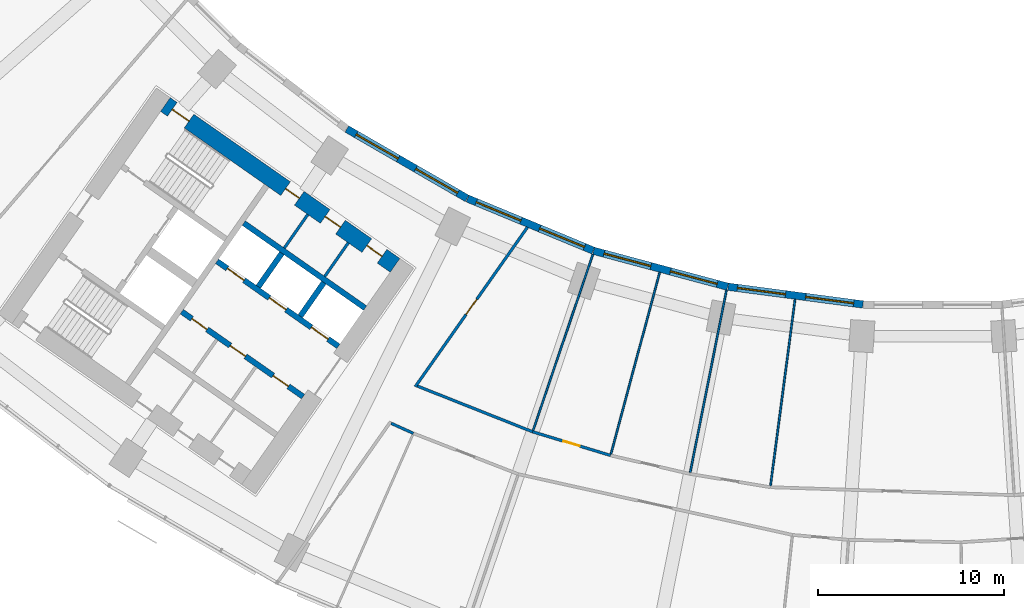
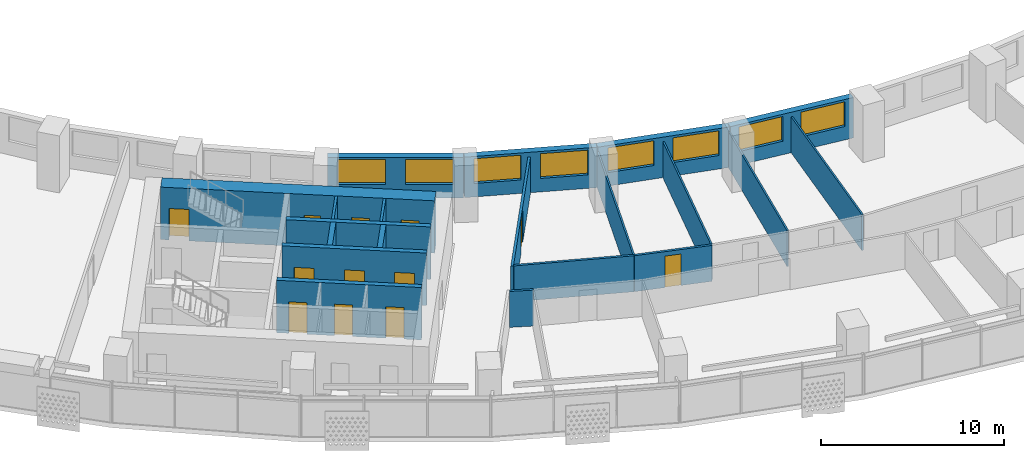
# One storey, part 4 of 30: 20 walls, 12 doors, 8 windows, 20 openings.
"""IFC4 building model written with IfcOpenShell, lengths in metres."""

from ifc_helpers import new_model, si_unit, direction, frame, frame_2d, origin, place, context, subcontext, project, spatial, rectangle, extrude, material, layer, layer_set, type_object, element, fill, save


model = new_model("IFC4")

# Units and contexts
model_context = context("Model", 3, precision=1e-05, world=origin(), true_north=direction((0.0, 1.0)))
body_context = subcontext(model_context, "Body", "Model", "MODEL_VIEW")
ifc_project = project(units=[si_unit("LENGTHUNIT", "METRE"), si_unit("AREAUNIT", "SQUARE_METRE"), si_unit("VOLUMEUNIT", "CUBIC_METRE"), si_unit("PLANEANGLEUNIT", "RADIAN"), si_unit("MASSUNIT", "GRAM", prefix="KILO")], contexts=[model_context])

# Site, building, storey
site_placement = place(None, origin())
site = spatial("IfcSite", under=ifc_project, at=site_placement, CompositionType="ELEMENT")
building_placement = place(site_placement, origin())
building = spatial("IfcBuilding", under=site, at=building_placement, Name="Qamariyya Broadcast Tower", CompositionType="ELEMENT")
storey_placement = place(building_placement, frame((0.0, 0.0, 67.10009765625)))
storey = spatial("IfcBuildingStorey", under=building, at=storey_placement, Name="L13", CompositionType="ELEMENT", Elevation=67.10009765625)

# Wall, openings, doors
ifc_material_1 = material(Name="Concrete C70/85", Category="concrete")
ifc_layer_1 = layer(ifc_material_1, 0.89990234375)
ifc_layer_set_1 = layer_set([ifc_layer_1], Name="Core wall 900 mm Concrete C70/85")
wall_type_1 = type_object("IfcWallType", Name="Core wall 900 mm Concrete C70/85", PredefinedType="SHEAR", material=ifc_layer_set_1)
wall_1_placement = place(storey_placement, frame((-28.8544921875, -54.32421875, 0.0), z_axis=(0.0, 0.0, 1.0), x_axis=(-0.819145767589, 0.573585400304, 0.0)))
wall_1 = element("IfcWall", 1, at=wall_1_placement, inside=storey, type_object=wall_type_1, Name="k-W-L13-WI", PredefinedType="SHEAR", context=body_context, shape_type="SweptSolid", body=[
    extrude(rectangle(XDim=15.04541015625, YDim=0.89990234375, at=frame_2d((7.522705078125, 0.0))), origin(), (0.0, 0.0, 1.0), 3.5),
])
opening_1_placement = place(wall_1_placement, frame((0.85009765625, 0.0, 0.0)))
opening_1 = element("IfcOpeningElement", 2, at=opening_1_placement, cuts=wall_1, Name="Opening KD6-W3", PredefinedType="OPENING", context=body_context, shape_type="SweptSolid", body=[
    extrude(rectangle(XDim=1.0, YDim=2.10009765625, at=frame_2d((0.5, 1.050048828125))), frame((0.0, 0.4599609375, 0.0), z_axis=(0.0, -1.0, 0.0), x_axis=(1.0, 0.0, 0.0)), (0.0, 0.0, 1.0), 0.919921875),
])
opening_2_placement = place(wall_1_placement, frame((3.574951171875, 0.0, 0.0)))
opening_2 = element("IfcOpeningElement", 3, at=opening_2_placement, cuts=wall_1, Name="Opening KD7-W1", PredefinedType="OPENING", context=body_context, shape_type="SweptSolid", body=[
    extrude(rectangle(XDim=1.0, YDim=2.10009765625, at=frame_2d((0.5, 1.050048828125))), frame((0.0, 0.4599609375, 0.0), z_axis=(0.0, -1.0, 0.0), x_axis=(1.0, 0.0, 0.0)), (0.0, 0.0, 1.0), 0.919921875),
])
opening_3_placement = place(wall_1_placement, frame((6.27490234375, 0.0, 0.0)))
opening_3 = element("IfcOpeningElement", 4, at=opening_3_placement, cuts=wall_1, Name="Opening KD5-W1", PredefinedType="OPENING", context=body_context, shape_type="SweptSolid", body=[
    extrude(rectangle(XDim=0.89990234375, YDim=2.10009765625, at=frame_2d((0.449951171875, 1.050048828125))), frame((0.0, 0.4599609375, 0.0), z_axis=(0.0, -1.0, 0.0), x_axis=(1.0, 0.0, 0.0)), (0.0, 0.0, 1.0), 0.919921875),
])
opening_4_placement = place(wall_1_placement, frame((13.495361328125, 0.0, 0.0)))
opening_4 = element("IfcOpeningElement", 5, at=opening_4_placement, cuts=wall_1, Name="Opening KD1-W1", PredefinedType="OPENING", context=body_context, shape_type="SweptSolid", body=[
    extrude(rectangle(XDim=1.10009765625, YDim=2.10009765625, at=frame_2d((0.550048828125, 1.050048828125))), frame((0.0, 0.4599609375, 0.0), z_axis=(0.0, -1.0, 0.0), x_axis=(1.0, 0.0, 0.0)), (0.0, 0.0, 1.0), 0.919921875),
])
ifc_material_2 = material(Name="Steel fire-resisting door leaf", Category="steel")
door_type_1 = type_object("IfcDoorType", Name="Accessible toilet door KD7", OperationType="SINGLE_SWING_LEFT", PredefinedType="DOOR", material=ifc_material_2)
door_1_placement = place(opening_2_placement, origin())
door_1 = element("IfcDoor", 6, at=door_1_placement, inside=storey, type_object=door_type_1, Name="k-W-L13-WI-D9", OperationType="SINGLE_SWING_RIGHT", OverallHeight=2.10009765625, OverallWidth=1.0, PredefinedType="DOOR", context=body_context, shape_type="SweptSolid", body=[
    extrude(rectangle(XDim=1.0, YDim=2.10009765625, at=frame_2d((0.5, 1.050048828125))), frame((0.0, 0.02490234375, 0.0), z_axis=(0.0, -1.0, 0.0), x_axis=(1.0, 0.0, 0.0)), (0.0, 0.0, 1.0), 0.050048828125),
])
fill(opening_2, door_1)
door_type_2 = type_object("IfcDoorType", Name="Core room door KD6", OperationType="SINGLE_SWING_LEFT", PredefinedType="DOOR", material=ifc_material_2)
door_2_placement = place(opening_1_placement, origin())
door_2 = element("IfcDoor", 7, at=door_2_placement, inside=storey, type_object=door_type_2, Name="k-W-L13-WI-D8", OperationType="SINGLE_SWING_LEFT", OverallHeight=2.10009765625, OverallWidth=1.0, PredefinedType="DOOR", context=body_context, shape_type="SweptSolid", body=[
    extrude(rectangle(XDim=1.0, YDim=2.10009765625, at=frame_2d((0.5, 1.050048828125))), frame((0.0, 0.02490234375, 0.0), z_axis=(0.0, -1.0, 0.0), x_axis=(1.0, 0.0, 0.0)), (0.0, 0.0, 1.0), 0.050048828125),
])
fill(opening_1, door_2)
door_type_3 = type_object("IfcDoorType", Name="Stair door KD1", OperationType="SINGLE_SWING_LEFT", PredefinedType="DOOR", material=ifc_material_2)
door_3_placement = place(opening_4_placement, origin())
door_3 = element("IfcDoor", 8, at=door_3_placement, inside=storey, type_object=door_type_3, Name="k-W-L13-WI-D17", OperationType="SINGLE_SWING_RIGHT", OverallHeight=2.10009765625, OverallWidth=1.10009765625, PredefinedType="DOOR", context=body_context, shape_type="SweptSolid", body=[
    extrude(rectangle(XDim=1.10009765625, YDim=2.10009765625, at=frame_2d((0.550048828125, 1.050048828125))), frame((0.0, 0.02490234375, 0.0), z_axis=(0.0, -1.0, 0.0), x_axis=(1.0, 0.0, 0.0)), (0.0, 0.0, 1.0), 0.050048828125),
])
fill(opening_4, door_3)
door_type_4 = type_object("IfcDoorType", Name="Toilet door KD5", OperationType="SINGLE_SWING_LEFT", PredefinedType="DOOR", material=ifc_material_2)
door_4_placement = place(opening_3_placement, origin())
door_4 = element("IfcDoor", 9, at=door_4_placement, inside=storey, type_object=door_type_4, Name="k-W-L13-WI-D10", OperationType="SINGLE_SWING_LEFT", OverallHeight=2.10009765625, OverallWidth=0.89990234375, PredefinedType="DOOR", context=body_context, shape_type="SweptSolid", body=[
    extrude(rectangle(XDim=0.89990234375, YDim=2.10009765625, at=frame_2d((0.449951171875, 1.050048828125))), frame((0.0, 0.02490234375, 0.0), z_axis=(0.0, -1.0, 0.0), x_axis=(1.0, 0.0, 0.0)), (0.0, 0.0, 1.0), 0.050048828125),
])
fill(opening_3, door_4)

# Walls
ifc_material_3 = material(Name="Gypsum board partition")
ifc_layer_2 = layer(ifc_material_3, 0.14990234375)
ifc_layer_set_2 = layer_set([ifc_layer_2], Name="Corridor partition 150 EI 60")
wall_type_2 = type_object("IfcWallType", Name="Corridor partition 150 EI 60", PredefinedType="PARTITIONING", material=ifc_layer_set_2)
wall_2_placement = place(storey_placement, frame((-29.062744140625, -62.800537109375, 0.0), z_axis=(0.0, 0.0, 1.0), x_axis=(0.911228141646, -0.411902019748, 0.0)))
element("IfcWall", 10, at=wall_2_placement, inside=storey, type_object=wall_type_2, Name="Partition L13-004", PredefinedType="PARTITIONING", context=body_context, shape_type="SweptSolid", body=[
    extrude(rectangle(XDim=1.306884765625, YDim=0.14990234375, at=frame_2d((0.6533203125, 0.0))), origin(), (0.0, 0.0, 1.0), 2.39990234375),
])
wall_3_placement = place(storey_placement, frame((-27.6572265625, -60.801513671875, 0.0), z_axis=(0.0, 0.0, 1.0), x_axis=(0.929543215203, -0.368713182663, 0.0)))
element("IfcWall", 11, at=wall_3_placement, inside=storey, type_object=wall_type_2, Name="Partition L13-006", PredefinedType="PARTITIONING", context=body_context, shape_type="SweptSolid", body=[
    extrude(rectangle(XDim=6.65380859375, YDim=0.14990234375, at=frame_2d((3.326904296875, 0.0))), origin(), (0.0, 0.0, 1.0), 2.39990234375),
])

# Wall, opening, door
wall_4_placement = place(storey_placement, frame((-21.748291015625, -52.2763671875, 0.0), z_axis=(0.0, 0.0, 1.0), x_axis=(-0.575419434668, -0.817858468322, 0.0)))
wall_4 = element("IfcWall", 12, at=wall_4_placement, inside=storey, type_object=wall_type_2, Name="Partition L13-009", PredefinedType="PARTITIONING", context=body_context, shape_type="SweptSolid", body=[
    extrude(rectangle(XDim=10.46484375, YDim=0.14990234375, at=frame_2d((5.232421875, 0.0))), origin(), (0.0, 0.0, 1.0), 2.39990234375),
])
opening_5_placement = place(wall_4_placement, frame((4.732421875, 0.0, 0.0)))
opening_5 = element("IfcOpeningElement", 13, at=opening_5_placement, cuts=wall_4, Name="Opening L13-D08", PredefinedType="OPENING", context=body_context, shape_type="SweptSolid", body=[
    extrude(rectangle(XDim=1.0, YDim=2.10009765625, at=frame_2d((0.5, 1.050048828125))), frame((0.0, 0.0849609375, 0.0), z_axis=(0.0, -1.0, 0.0), x_axis=(1.0, 0.0, 0.0)), (0.0, 0.0, 1.0), 0.169921875),
])
ifc_material_4 = material(Name="Timber fire door leaf", Category="wood")
door_type_5 = type_object("IfcDoorType", Name="Fire door 1000 x 2100 FD60", OperationType="NOTDEFINED", PredefinedType="DOOR", material=ifc_material_4)
door_5_placement = place(opening_5_placement, origin())
door_5 = element("IfcDoor", 14, at=door_5_placement, inside=storey, type_object=door_type_5, Name="Door L13-D08", OperationType="SINGLE_SWING_RIGHT", OverallHeight=2.10009765625, OverallWidth=1.0, PredefinedType="DOOR", context=body_context, shape_type="SweptSolid", body=[
    extrude(rectangle(XDim=1.0, YDim=2.10009765625, at=frame_2d((0.5, 1.050048828125))), frame((0.0, 0.02490234375, 0.0), z_axis=(0.0, -1.0, 0.0), x_axis=(1.0, 0.0, 0.0)), (0.0, 0.0, 1.0), 0.050048828125),
])
fill(opening_5, door_5)

wall_5_placement = place(storey_placement, frame((-21.47216796875, -63.2548828125, 0.0), z_axis=(0.0, 0.0, 1.0), x_axis=(0.956933231095, -0.290308097072, 0.0)))
wall_5 = element("IfcWall", 15, at=wall_5_placement, inside=storey, type_object=wall_type_2, Name="Partition L13-010", PredefinedType="PARTITIONING", context=body_context, shape_type="SweptSolid", body=[
    extrude(rectangle(XDim=4.371337890625, YDim=0.14990234375, at=frame_2d((2.185546875, 0.0))), origin(), (0.0, 0.0, 1.0), 2.39990234375),
])
opening_6_placement = place(wall_5_placement, frame((1.735595703125, 0.0, 0.0)))
opening_6 = element("IfcOpeningElement", 16, at=opening_6_placement, cuts=wall_5, Name="Opening L13-D09", PredefinedType="OPENING", context=body_context, shape_type="SweptSolid", body=[
    extrude(rectangle(XDim=0.89990234375, YDim=2.10009765625, at=frame_2d((0.449951171875, 1.050048828125))), frame((0.0, 0.0849609375, 0.0), z_axis=(0.0, -1.0, 0.0), x_axis=(1.0, 0.0, 0.0)), (0.0, 0.0, 1.0), 0.169921875),
])
door_type_6 = type_object("IfcDoorType", Name="Fire door 900 x 2100 FD60", OperationType="NOTDEFINED", PredefinedType="DOOR", material=ifc_material_4)
door_6_placement = place(opening_6_placement, origin())
door_6 = element("IfcDoor", 17, at=door_6_placement, inside=storey, type_object=door_type_6, Name="Door L13-D09", OperationType="SINGLE_SWING_RIGHT", OverallHeight=2.10009765625, OverallWidth=0.89990234375, PredefinedType="DOOR", context=body_context, shape_type="SweptSolid", body=[
    extrude(rectangle(XDim=0.89990234375, YDim=2.10009765625, at=frame_2d((0.449951171875, 1.050048828125))), frame((0.0, 0.02490234375, 0.0), z_axis=(0.0, -1.0, 0.0), x_axis=(1.0, 0.0, 0.0)), (0.0, 0.0, 1.0), 0.050048828125),
])
fill(opening_6, door_6)

# Walls
ifc_material_5 = material(Name="Gypsum board partition on steel studs", Category="steel")
ifc_layer_3 = layer(ifc_material_5, 0.14990234375)
ifc_layer_set_3 = layer_set([ifc_layer_3], Name="Gypsum board partition 150 mm")
wall_type_3 = type_object("IfcWallType", Name="Gypsum board partition 150 mm", PredefinedType="PARTITIONING", material=ifc_layer_set_3)
for number, where, z_axis, x_axis, name in (
    (18, (-32.627197265625, -54.91748046875, 0.0), (0.0, 0.0, 1.0), (0.573507030513, 0.819200638399, 0.0), "k-W-L13-NP275"),
    (19, (-34.798095703125, -53.3974609375, 0.0), (0.0, 0.0, 1.0), (0.573633636671, 0.819111989218, 0.0), "k-W-L13-NP540"),
):
    element("IfcWall", number, at=place(storey_placement, frame(where, z_axis=z_axis, x_axis=x_axis)), inside=storey, type_object=wall_type_3, Name=name, PredefinedType="PARTITIONING", context=body_context, shape_type="SweptSolid", body=[
        extrude(rectangle(XDim=2.199951171875, YDim=0.14990234375, at=frame_2d((1.10009765625, 0.0))), origin(), (0.0, 0.0, 1.0), 3.5),
    ])

# Wall, openings, doors
ifc_material_6 = material(Name="Concrete C60/75", Category="concrete")
ifc_layer_4 = layer(ifc_material_6, 0.300048828125)
ifc_layer_set_4 = layer_set([ifc_layer_4], Name="Lift shaft wall 300 mm Concrete C60/75")
wall_type_4 = type_object("IfcWallType", Name="Lift shaft wall 300 mm Concrete C60/75", PredefinedType="SOLIDWALL", material=ifc_layer_set_4)
wall_6_placement = place(storey_placement, frame((-31.89453125, -58.66552734375, 0.0), z_axis=(0.0, 0.0, 1.0), x_axis=(-0.819166993208, 0.573555086491, 0.0)))
wall_6 = element("IfcWall", 20, at=wall_6_placement, inside=storey, type_object=wall_type_4, Name="k-W-L13-NF0", PredefinedType="SOLIDWALL", context=body_context, shape_type="SweptSolid", body=[
    extrude(rectangle(XDim=7.9501953125, YDim=0.300048828125, at=frame_2d((3.97509765625, 0.0))), origin(), (0.0, 0.0, 1.0), 3.5),
])
opening_7_placement = place(wall_6_placement, frame((0.675048828125, 0.0, 0.0)))
opening_7 = element("IfcOpeningElement", 21, at=opening_7_placement, cuts=wall_6, Name="Opening LD", PredefinedType="OPENING", context=body_context, shape_type="SweptSolid", body=[
    extrude(rectangle(XDim=1.10009765625, YDim=2.10009765625, at=frame_2d((0.550048828125, 1.050048828125))), frame((0.0, 0.159912109375, 0.0), z_axis=(0.0, -1.0, 0.0), x_axis=(1.0, 0.0, 0.0)), (0.0, 0.0, 1.0), 0.320068359375),
])
opening_8_placement = place(wall_6_placement, frame((3.425048828125, 0.0, 0.0)))
opening_8 = element("IfcOpeningElement", 22, at=opening_8_placement, cuts=wall_6, Name="Opening LD", PredefinedType="OPENING", context=body_context, shape_type="SweptSolid", body=[
    extrude(rectangle(XDim=1.10009765625, YDim=2.10009765625, at=frame_2d((0.550048828125, 1.050048828125))), frame((0.0, 0.159912109375, 0.0), z_axis=(0.0, -1.0, 0.0), x_axis=(1.0, 0.0, 0.0)), (0.0, 0.0, 1.0), 0.320068359375),
])
opening_9_placement = place(wall_6_placement, frame((6.175048828125, 0.0, 0.0)))
opening_9 = element("IfcOpeningElement", 23, at=opening_9_placement, cuts=wall_6, Name="Opening LD", PredefinedType="OPENING", context=body_context, shape_type="SweptSolid", body=[
    extrude(rectangle(XDim=1.10009765625, YDim=2.10009765625, at=frame_2d((0.550048828125, 1.050048828125))), frame((0.0, 0.159912109375, 0.0), z_axis=(0.0, -1.0, 0.0), x_axis=(1.0, 0.0, 0.0)), (0.0, 0.0, 1.0), 0.320068359375),
])
door_type_7 = type_object("IfcDoorType", Name="Lift landing door LD", OperationType="DOUBLE_DOOR_SLIDING", PredefinedType="DOOR", material=ifc_material_2)
door_7_placement = place(opening_7_placement, origin())
door_7 = element("IfcDoor", 24, at=door_7_placement, inside=storey, type_object=door_type_7, Name="k-W-L13-NF0-D2", OperationType="DOUBLE_DOOR_SLIDING", OverallHeight=2.10009765625, OverallWidth=1.10009765625, PredefinedType="DOOR", context=body_context, shape_type="SweptSolid", body=[
    extrude(rectangle(XDim=1.10009765625, YDim=2.10009765625, at=frame_2d((0.550048828125, 1.050048828125))), frame((0.0, 0.02490234375, 0.0), z_axis=(0.0, -1.0, 0.0), x_axis=(1.0, 0.0, 0.0)), (0.0, 0.0, 1.0), 0.050048828125),
])
fill(opening_7, door_7)
door_8_placement = place(opening_8_placement, origin())
door_8 = element("IfcDoor", 25, at=door_8_placement, inside=storey, type_object=door_type_7, Name="k-W-L13-NF0-D3", OperationType="DOUBLE_DOOR_SLIDING", OverallHeight=2.10009765625, OverallWidth=1.10009765625, PredefinedType="DOOR", context=body_context, shape_type="SweptSolid", body=[
    extrude(rectangle(XDim=1.10009765625, YDim=2.10009765625, at=frame_2d((0.550048828125, 1.050048828125))), frame((0.0, 0.02490234375, 0.0), z_axis=(0.0, -1.0, 0.0), x_axis=(1.0, 0.0, 0.0)), (0.0, 0.0, 1.0), 0.050048828125),
])
fill(opening_8, door_8)
door_9_placement = place(opening_9_placement, origin())
door_9 = element("IfcDoor", 26, at=door_9_placement, inside=storey, type_object=door_type_7, Name="k-W-L13-NF0-D4", OperationType="DOUBLE_DOOR_SLIDING", OverallHeight=2.10009765625, OverallWidth=1.10009765625, PredefinedType="DOOR", context=body_context, shape_type="SweptSolid", body=[
    extrude(rectangle(XDim=1.10009765625, YDim=2.10009765625, at=frame_2d((0.550048828125, 1.050048828125))), frame((0.0, 0.02490234375, 0.0), z_axis=(0.0, -1.0, 0.0), x_axis=(1.0, 0.0, 0.0)), (0.0, 0.0, 1.0), 0.050048828125),
])
fill(opening_9, door_9)

# Walls
wall_7_placement = place(storey_placement, frame((-30.460693359375, -56.61767578125, 0.0), z_axis=(0.0, 0.0, 1.0), x_axis=(-0.819142461705, 0.573590121456, 0.0)))
element("IfcWall", 27, at=wall_7_placement, inside=storey, type_object=wall_type_4, Name="k-W-L13-NB0", PredefinedType="SOLIDWALL", context=body_context, shape_type="SweptSolid", body=[
    extrude(rectangle(XDim=7.949951171875, YDim=0.300048828125, at=frame_2d((3.97509765625, 0.0))), origin(), (0.0, 0.0, 1.0), 3.5),
])
wall_8_placement = place(storey_placement, frame((-33.9384765625, -57.051513671875, 0.0), z_axis=(0.0, 0.0, 1.0), x_axis=(0.573581496053, 0.819148501424, 0.0)))
element("IfcWall", 28, at=wall_8_placement, inside=storey, type_object=wall_type_4, Name="k-W-L13-ND0", PredefinedType="SOLIDWALL", context=body_context, shape_type="SweptSolid", body=[
    extrude(rectangle(XDim=2.2001953125, YDim=0.300048828125, at=frame_2d((1.10009765625, 0.0))), origin(), (0.0, 0.0, 1.0), 3.5),
])
wall_9_placement = place(storey_placement, frame((-36.19091796875, -55.47412109375, 0.0), z_axis=(0.0, 0.0, 1.0), x_axis=(0.573507030513, 0.819200638399, 0.0)))
element("IfcWall", 29, at=wall_9_placement, inside=storey, type_object=wall_type_4, Name="k-W-L13-ND1", PredefinedType="SOLIDWALL", context=body_context, shape_type="SweptSolid", body=[
    extrude(rectangle(XDim=2.199951171875, YDim=0.300048828125, at=frame_2d((1.10009765625, 0.0))), origin(), (0.0, 0.0, 1.0), 3.5),
])

# Wall, openings, doors
wall_10_placement = place(storey_placement, frame((-33.787353515625, -61.368896484375, 0.0), z_axis=(0.0, 0.0, 1.0), x_axis=(-0.819152564888, 0.573575692858, 0.0)))
wall_10 = element("IfcWall", 30, at=wall_10_placement, inside=storey, type_object=wall_type_4, Name="k-W-L13-SF0", PredefinedType="SOLIDWALL", context=body_context, shape_type="SweptSolid", body=[
    extrude(rectangle(XDim=7.9501953125, YDim=0.300048828125, at=frame_2d((3.97509765625, 0.0))), origin(), (0.0, 0.0, 1.0), 3.5),
])
opening_10_placement = place(wall_10_placement, frame((0.96240234375, 0.0, 0.0)))
opening_10 = element("IfcOpeningElement", 31, at=opening_10_placement, cuts=wall_10, Name="Opening KD6-W1", PredefinedType="OPENING", context=body_context, shape_type="SweptSolid", body=[
    extrude(rectangle(XDim=1.0, YDim=2.10009765625, at=frame_2d((0.5, 1.050048828125))), frame((0.0, 0.159912109375, 0.0), z_axis=(0.0, -1.0, 0.0), x_axis=(1.0, 0.0, 0.0)), (0.0, 0.0, 1.0), 0.320068359375),
])
opening_11_placement = place(wall_10_placement, frame((3.77490234375, 0.0, 0.0)))
opening_11 = element("IfcOpeningElement", 32, at=opening_11_placement, cuts=wall_10, Name="Opening KD4-W1", PredefinedType="OPENING", context=body_context, shape_type="SweptSolid", body=[
    extrude(rectangle(XDim=1.0, YDim=2.10009765625, at=frame_2d((0.5, 1.050048828125))), frame((0.0, 0.159912109375, 0.0), z_axis=(0.0, -1.0, 0.0), x_axis=(1.0, 0.0, 0.0)), (0.0, 0.0, 1.0), 0.320068359375),
])
opening_12_placement = place(wall_10_placement, frame((6.28759765625, 0.0, 0.0)))
opening_12 = element("IfcOpeningElement", 33, at=opening_12_placement, cuts=wall_10, Name="Opening KD6-W2", PredefinedType="OPENING", context=body_context, shape_type="SweptSolid", body=[
    extrude(rectangle(XDim=1.0, YDim=2.10009765625, at=frame_2d((0.5, 1.050048828125))), frame((0.0, 0.159912109375, 0.0), z_axis=(0.0, -1.0, 0.0), x_axis=(1.0, 0.0, 0.0)), (0.0, 0.0, 1.0), 0.320068359375),
])
door_10_placement = place(opening_10_placement, origin())
door_10 = element("IfcDoor", 34, at=door_10_placement, inside=storey, type_object=door_type_2, Name="k-W-L13-SF0-D5", OperationType="SINGLE_SWING_RIGHT", OverallHeight=2.10009765625, OverallWidth=1.0, PredefinedType="DOOR", context=body_context, shape_type="SweptSolid", body=[
    extrude(rectangle(XDim=1.0, YDim=2.10009765625, at=frame_2d((0.5, 1.050048828125))), frame((0.0, 0.02490234375, 0.0), z_axis=(0.0, -1.0, 0.0), x_axis=(1.0, 0.0, 0.0)), (0.0, 0.0, 1.0), 0.050048828125),
])
fill(opening_10, door_10)
door_11_placement = place(opening_12_placement, origin())
door_11 = element("IfcDoor", 35, at=door_11_placement, inside=storey, type_object=door_type_2, Name="k-W-L13-SF0-D7", OperationType="SINGLE_SWING_RIGHT", OverallHeight=2.10009765625, OverallWidth=1.0, PredefinedType="DOOR", context=body_context, shape_type="SweptSolid", body=[
    extrude(rectangle(XDim=1.0, YDim=2.10009765625, at=frame_2d((0.5, 1.050048828125))), frame((0.0, 0.02490234375, 0.0), z_axis=(0.0, -1.0, 0.0), x_axis=(1.0, 0.0, 0.0)), (0.0, 0.0, 1.0), 0.050048828125),
])
fill(opening_12, door_11)
door_type_8 = type_object("IfcDoorType", Name="Riser and plant door KD4", OperationType="SINGLE_SWING_LEFT", PredefinedType="DOOR", material=ifc_material_2)
door_12_placement = place(opening_11_placement, origin())
door_12 = element("IfcDoor", 36, at=door_12_placement, inside=storey, type_object=door_type_8, Name="k-W-L13-SF0-D6", OperationType="SINGLE_SWING_LEFT", OverallHeight=2.10009765625, OverallWidth=1.0, PredefinedType="DOOR", context=body_context, shape_type="SweptSolid", body=[
    extrude(rectangle(XDim=1.0, YDim=2.10009765625, at=frame_2d((0.5, 1.050048828125))), frame((0.0, 0.02490234375, 0.0), z_axis=(0.0, -1.0, 0.0), x_axis=(1.0, 0.0, 0.0)), (0.0, 0.0, 1.0), 0.050048828125),
])
fill(opening_11, door_12)

# Walls
ifc_layer_5 = layer(ifc_material_3, 0.10009765625)
ifc_layer_set_5 = layer_set([ifc_layer_5], Name="Partition 100")
wall_type_5 = type_object("IfcWallType", Name="Partition 100", PredefinedType="PARTITIONING", material=ifc_layer_set_5)
wall_11_placement = place(storey_placement, frame((-18.24169921875, -53.73828125, 0.0), z_axis=(0.0, 0.0, 1.0), x_axis=(-0.321436265026, -0.946931215837, 0.0)))
element("IfcWall", 37, at=wall_11_placement, inside=storey, type_object=wall_type_5, Name="Partition L13-011", PredefinedType="PARTITIONING", context=body_context, shape_type="SweptSolid", body=[
    extrude(rectangle(XDim=9.974853515625, YDim=0.10009765625, at=frame_2d((4.9873046875, 0.0))), origin(), (0.0, 0.0, 1.0), 2.39990234375),
])
wall_12_placement = place(storey_placement, frame((-14.65673828125, -54.69970703125, 0.0), z_axis=(0.0, 0.0, 1.0), x_axis=(-0.258825935876, -0.965923979885, 0.0)))
element("IfcWall", 38, at=wall_12_placement, inside=storey, type_object=wall_type_5, Name="Partition L13-013", PredefinedType="PARTITIONING", context=body_context, shape_type="SweptSolid", body=[
    extrude(rectangle(XDim=10.095703125, YDim=0.10009765625, at=frame_2d((5.0478515625, 0.0))), origin(), (0.0, 0.0, 1.0), 2.39990234375),
])
wall_13_placement = place(storey_placement, frame((-11.0712890625, -55.65966796875, 0.0), z_axis=(0.0, 0.0, 1.0), x_axis=(-0.195094645032, -0.980784420492, 0.0)))
element("IfcWall", 39, at=wall_13_placement, inside=storey, type_object=wall_type_5, Name="Partition L13-015", PredefinedType="PARTITIONING", context=body_context, shape_type="SweptSolid", body=[
    extrude(rectangle(XDim=9.974853515625, YDim=0.10009765625, at=frame_2d((4.9873046875, 0.0))), origin(), (0.0, 0.0, 1.0), 2.39990234375),
])
wall_14_placement = place(storey_placement, frame((-7.3916015625, -56.144775390625, 0.0), z_axis=(0.0, 0.0, 1.0), x_axis=(-0.130538336764, -0.991443262439, 0.0)))
element("IfcWall", 40, at=wall_14_placement, inside=storey, type_object=wall_type_5, Name="Partition L13-019", PredefinedType="PARTITIONING", context=body_context, shape_type="SweptSolid", body=[
    extrude(rectangle(XDim=10.095703125, YDim=0.10009765625, at=frame_2d((5.0478515625, 0.0))), origin(), (0.0, 0.0, 1.0), 2.39990234375),
])

# Wall, openings, windows
ifc_material_7 = material(Name="Terracotta", Category="masonry")
ifc_layer_6 = layer(ifc_material_7, 0.39990234375)
ifc_layer_set_6 = layer_set([ifc_layer_6], Name="Terracotta clad wall 400")
wall_type_6 = type_object("IfcWallType", Name="Terracotta clad wall 400", PredefinedType="SOLIDWALL", material=ifc_layer_set_6)
wall_15_placement = place(storey_placement, frame((-24.989990234375, -50.73095703125, 0.0), z_axis=(0.0, 0.0, 1.0), x_axis=(-0.866037641005, 0.499978803913, 0.0)))
wall_15 = element("IfcWall", 41, at=wall_15_placement, inside=storey, type_object=wall_type_6, Name="e-wl-L13-in40", PredefinedType="SOLIDWALL", context=body_context, shape_type="SweptSolid", body=[
    extrude(rectangle(XDim=7.447021484375, YDim=0.39990234375, at=frame_2d((3.7236328125, 0.0))), origin(), (0.0, 0.0, 1.0), 2.699951171875),
])
opening_13_placement = place(wall_15_placement, frame((4.266357421875, 0.0, 0.89990234375)))
opening_13 = element("IfcOpeningElement", 42, at=opening_13_placement, cuts=wall_15, Name="Opening W1", PredefinedType="OPENING", context=body_context, shape_type="SweptSolid", body=[
    extrude(rectangle(XDim=2.60009765625, YDim=1.64990234375, at=frame_2d((1.300048828125, 0.824951171875))), frame((0.0, 0.2099609375, 0.0), z_axis=(0.0, -1.0, 0.0), x_axis=(1.0, 0.0, 0.0)), (0.0, 0.0, 1.0), 0.419921875),
])
opening_14_placement = place(wall_15_placement, frame((0.580810546875, 0.0, 0.89990234375)))
opening_14 = element("IfcOpeningElement", 43, at=opening_14_placement, cuts=wall_15, Name="Opening W1", PredefinedType="OPENING", context=body_context, shape_type="SweptSolid", body=[
    extrude(rectangle(XDim=2.60009765625, YDim=1.64990234375, at=frame_2d((1.300048828125, 0.824951171875))), frame((0.0, 0.2099609375, 0.0), z_axis=(0.0, -1.0, 0.0), x_axis=(1.0, 0.0, 0.0)), (0.0, 0.0, 1.0), 0.419921875),
])
ifc_material_8 = material(Name="Clear low-e double glazed unit in aluminium frame", Category="aluminium")
window_type = type_object("IfcWindowType", Name="Ribbon window 2600 x 1650", PartitioningType="SINGLE_PANEL", PredefinedType="WINDOW", material=ifc_material_8)
window_1_placement = place(opening_13_placement, origin())
window_1 = element("IfcWindow", 44, at=window_1_placement, inside=storey, type_object=window_type, Name="e-w-L13-in04-0", OverallHeight=1.64990234375, OverallWidth=2.60009765625, PartitioningType="SINGLE_PANEL", PredefinedType="WINDOW", context=body_context, shape_type="SweptSolid", body=[
    extrude(rectangle(XDim=2.60009765625, YDim=1.64990234375, at=frame_2d((1.300048828125, 0.824951171875))), frame((0.0, 0.030029296875, 0.0), z_axis=(0.0, -1.0, 0.0), x_axis=(1.0, 0.0, 0.0)), (0.0, 0.0, 1.0), 0.06005859375),
])
fill(opening_13, window_1)
window_2_placement = place(opening_14_placement, origin())
window_2 = element("IfcWindow", 45, at=window_2_placement, inside=storey, type_object=window_type, Name="e-w-L13-in04-1", OverallHeight=1.64990234375, OverallWidth=2.60009765625, PartitioningType="SINGLE_PANEL", PredefinedType="WINDOW", context=body_context, shape_type="SweptSolid", body=[
    extrude(rectangle(XDim=2.60009765625, YDim=1.64990234375, at=frame_2d((1.300048828125, 0.824951171875))), frame((0.0, 0.030029296875, 0.0), z_axis=(0.0, -1.0, 0.0), x_axis=(1.0, 0.0, 0.0)), (0.0, 0.0, 1.0), 0.06005859375),
])
fill(opening_14, window_2)

wall_16_placement = place(storey_placement, frame((-18.224365234375, -53.52978515625, 0.0), z_axis=(0.0, 0.0, 1.0), x_axis=(-0.923891626322, 0.382654234018, 0.0)))
wall_16 = element("IfcWall", 46, at=wall_16_placement, inside=storey, type_object=wall_type_6, Name="e-wl-L13-in50", PredefinedType="SOLIDWALL", context=body_context, shape_type="SweptSolid", body=[
    extrude(rectangle(XDim=7.295654296875, YDim=0.39990234375, at=frame_2d((3.64794921875, 0.0))), origin(), (0.0, 0.0, 1.0), 2.699951171875),
])
opening_15_placement = place(wall_16_placement, frame((4.190673828125, 0.0, 0.89990234375)))
opening_15 = element("IfcOpeningElement", 47, at=opening_15_placement, cuts=wall_16, Name="Opening W1", PredefinedType="OPENING", context=body_context, shape_type="SweptSolid", body=[
    extrude(rectangle(XDim=2.60009765625, YDim=1.64990234375, at=frame_2d((1.300048828125, 0.824951171875))), frame((0.0, 0.2099609375, 0.0), z_axis=(0.0, -1.0, 0.0), x_axis=(1.0, 0.0, 0.0)), (0.0, 0.0, 1.0), 0.419921875),
])
opening_16_placement = place(wall_16_placement, frame((0.505126953125, 0.0, 0.89990234375)))
opening_16 = element("IfcOpeningElement", 48, at=opening_16_placement, cuts=wall_16, Name="Opening W1", PredefinedType="OPENING", context=body_context, shape_type="SweptSolid", body=[
    extrude(rectangle(XDim=2.60009765625, YDim=1.64990234375, at=frame_2d((1.300048828125, 0.824951171875))), frame((0.0, 0.2099609375, 0.0), z_axis=(0.0, -1.0, 0.0), x_axis=(1.0, 0.0, 0.0)), (0.0, 0.0, 1.0), 0.419921875),
])
window_3_placement = place(opening_15_placement, origin())
window_3 = element("IfcWindow", 49, at=window_3_placement, inside=storey, type_object=window_type, Name="e-w-L13-in05-0", OverallHeight=1.64990234375, OverallWidth=2.60009765625, PartitioningType="SINGLE_PANEL", PredefinedType="WINDOW", context=body_context, shape_type="SweptSolid", body=[
    extrude(rectangle(XDim=2.60009765625, YDim=1.64990234375, at=frame_2d((1.300048828125, 0.824951171875))), frame((0.0, 0.030029296875, 0.0), z_axis=(0.0, -1.0, 0.0), x_axis=(1.0, 0.0, 0.0)), (0.0, 0.0, 1.0), 0.06005859375),
])
fill(opening_15, window_3)
window_4_placement = place(opening_16_placement, origin())
window_4 = element("IfcWindow", 50, at=window_4_placement, inside=storey, type_object=window_type, Name="e-w-L13-in05-1", OverallHeight=1.64990234375, OverallWidth=2.60009765625, PartitioningType="SINGLE_PANEL", PredefinedType="WINDOW", context=body_context, shape_type="SweptSolid", body=[
    extrude(rectangle(XDim=2.60009765625, YDim=1.64990234375, at=frame_2d((1.300048828125, 0.824951171875))), frame((0.0, 0.030029296875, 0.0), z_axis=(0.0, -1.0, 0.0), x_axis=(1.0, 0.0, 0.0)), (0.0, 0.0, 1.0), 0.06005859375),
])
fill(opening_16, window_4)

wall_17_placement = place(storey_placement, frame((-11.00830078125, -55.47021484375, 0.0), z_axis=(0.0, 0.0, 1.0), x_axis=(-0.965924637935, 0.25882348006, 0.0)))
wall_17 = element("IfcWall", 51, at=wall_17_placement, inside=storey, type_object=wall_type_6, Name="e-wl-L13-in60", PredefinedType="SOLIDWALL", context=body_context, shape_type="SweptSolid", body=[
    extrude(rectangle(XDim=7.447021484375, YDim=0.39990234375, at=frame_2d((3.7236328125, 0.0))), origin(), (0.0, 0.0, 1.0), 2.699951171875),
])
opening_17_placement = place(wall_17_placement, frame((4.266357421875, 0.0, 0.89990234375)))
opening_17 = element("IfcOpeningElement", 52, at=opening_17_placement, cuts=wall_17, Name="Opening W1", PredefinedType="OPENING", context=body_context, shape_type="SweptSolid", body=[
    extrude(rectangle(XDim=2.60009765625, YDim=1.64990234375, at=frame_2d((1.300048828125, 0.824951171875))), frame((0.0, 0.2099609375, 0.0), z_axis=(0.0, -1.0, 0.0), x_axis=(1.0, 0.0, 0.0)), (0.0, 0.0, 1.0), 0.419921875),
])
opening_18_placement = place(wall_17_placement, frame((0.580810546875, 0.0, 0.89990234375)))
opening_18 = element("IfcOpeningElement", 53, at=opening_18_placement, cuts=wall_17, Name="Opening W1", PredefinedType="OPENING", context=body_context, shape_type="SweptSolid", body=[
    extrude(rectangle(XDim=2.60009765625, YDim=1.64990234375, at=frame_2d((1.300048828125, 0.824951171875))), frame((0.0, 0.2099609375, 0.0), z_axis=(0.0, -1.0, 0.0), x_axis=(1.0, 0.0, 0.0)), (0.0, 0.0, 1.0), 0.419921875),
])
window_5_placement = place(opening_17_placement, origin())
window_5 = element("IfcWindow", 54, at=window_5_placement, inside=storey, type_object=window_type, Name="e-w-L13-in06-0", OverallHeight=1.64990234375, OverallWidth=2.60009765625, PartitioningType="SINGLE_PANEL", PredefinedType="WINDOW", context=body_context, shape_type="SweptSolid", body=[
    extrude(rectangle(XDim=2.60009765625, YDim=1.64990234375, at=frame_2d((1.300048828125, 0.824951171875))), frame((0.0, 0.030029296875, 0.0), z_axis=(0.0, -1.0, 0.0), x_axis=(1.0, 0.0, 0.0)), (0.0, 0.0, 1.0), 0.06005859375),
])
fill(opening_17, window_5)
window_6_placement = place(opening_18_placement, origin())
window_6 = element("IfcWindow", 55, at=window_6_placement, inside=storey, type_object=window_type, Name="e-w-L13-in06-1", OverallHeight=1.64990234375, OverallWidth=2.60009765625, PartitioningType="SINGLE_PANEL", PredefinedType="WINDOW", context=body_context, shape_type="SweptSolid", body=[
    extrude(rectangle(XDim=2.60009765625, YDim=1.64990234375, at=frame_2d((1.300048828125, 0.824951171875))), frame((0.0, 0.030029296875, 0.0), z_axis=(0.0, -1.0, 0.0), x_axis=(1.0, 0.0, 0.0)), (0.0, 0.0, 1.0), 0.06005859375),
])
fill(opening_18, window_6)

wall_18_placement = place(storey_placement, frame((-3.748779296875, -56.422607421875, 0.0), z_axis=(0.0, 0.0, 1.0), x_axis=(-0.99144746031, 0.130506449818, 0.0)))
wall_18 = element("IfcWall", 56, at=wall_18_placement, inside=storey, type_object=wall_type_6, Name="e-wl-L13-in70", PredefinedType="SOLIDWALL", context=body_context, shape_type="SweptSolid", body=[
    extrude(rectangle(XDim=7.2958984375, YDim=0.39990234375, at=frame_2d((3.64794921875, 0.0))), origin(), (0.0, 0.0, 1.0), 2.699951171875),
])
opening_19_placement = place(wall_18_placement, frame((4.190673828125, 0.0, 0.89990234375)))
opening_19 = element("IfcOpeningElement", 57, at=opening_19_placement, cuts=wall_18, Name="Opening W1", PredefinedType="OPENING", context=body_context, shape_type="SweptSolid", body=[
    extrude(rectangle(XDim=2.60009765625, YDim=1.64990234375, at=frame_2d((1.300048828125, 0.824951171875))), frame((0.0, 0.2099609375, 0.0), z_axis=(0.0, -1.0, 0.0), x_axis=(1.0, 0.0, 0.0)), (0.0, 0.0, 1.0), 0.419921875),
])
opening_20_placement = place(wall_18_placement, frame((0.505126953125, 0.0, 0.89990234375)))
opening_20 = element("IfcOpeningElement", 58, at=opening_20_placement, cuts=wall_18, Name="Opening W1", PredefinedType="OPENING", context=body_context, shape_type="SweptSolid", body=[
    extrude(rectangle(XDim=2.60009765625, YDim=1.64990234375, at=frame_2d((1.300048828125, 0.824951171875))), frame((0.0, 0.2099609375, 0.0), z_axis=(0.0, -1.0, 0.0), x_axis=(1.0, 0.0, 0.0)), (0.0, 0.0, 1.0), 0.419921875),
])
window_7_placement = place(opening_19_placement, origin())
window_7 = element("IfcWindow", 59, at=window_7_placement, inside=storey, type_object=window_type, Name="e-w-L13-in07-0", OverallHeight=1.64990234375, OverallWidth=2.60009765625, PartitioningType="SINGLE_PANEL", PredefinedType="WINDOW", context=body_context, shape_type="SweptSolid", body=[
    extrude(rectangle(XDim=2.60009765625, YDim=1.64990234375, at=frame_2d((1.300048828125, 0.824951171875))), frame((0.0, 0.030029296875, 0.0), z_axis=(0.0, -1.0, 0.0), x_axis=(1.0, 0.0, 0.0)), (0.0, 0.0, 1.0), 0.06005859375),
])
fill(opening_19, window_7)
window_8_placement = place(opening_20_placement, origin())
window_8 = element("IfcWindow", 60, at=window_8_placement, inside=storey, type_object=window_type, Name="e-w-L13-in07-1", OverallHeight=1.64990234375, OverallWidth=2.60009765625, PartitioningType="SINGLE_PANEL", PredefinedType="WINDOW", context=body_context, shape_type="SweptSolid", body=[
    extrude(rectangle(XDim=2.60009765625, YDim=1.64990234375, at=frame_2d((1.300048828125, 0.824951171875))), frame((0.0, 0.030029296875, 0.0), z_axis=(0.0, -1.0, 0.0), x_axis=(1.0, 0.0, 0.0)), (0.0, 0.0, 1.0), 0.06005859375),
])
fill(opening_20, window_8)

save(model, "model.ifc")
